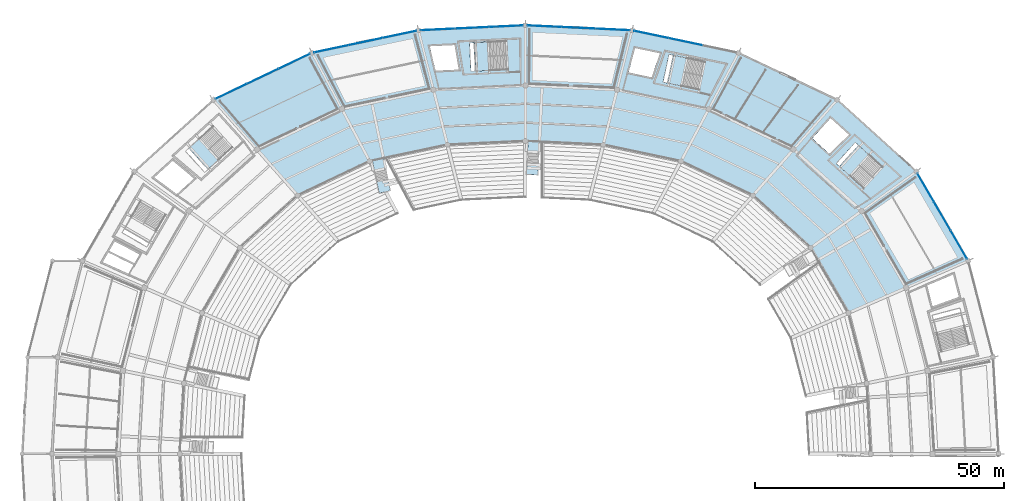
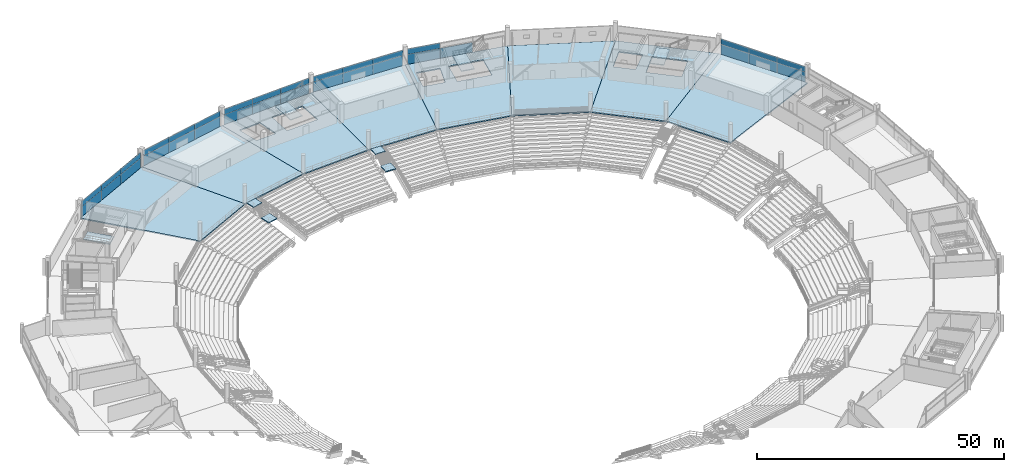
# One storey, part 99 of 156: 33 plates, 16 slabs, 12 elements without a shape of their own.
"""IFC4 building model written with IfcOpenShell, lengths in metres."""

from ifc_helpers import new_model, si_unit, direction, frame, origin, origin_2d, place, context, subcontext, project, spatial, polyline, rectangle, outline, extrude, material, layer, layer_set, type_object, element, aggregate, save


model = new_model("IFC4")

# Units and contexts
model_context = context("Model", 3, precision=1e-05, world=origin(), true_north=direction((0.0, 1.0)))
body_context = subcontext(model_context, "Body", "Model", "MODEL_VIEW")
ifc_project = project(units=[si_unit("LENGTHUNIT", "METRE"), si_unit("AREAUNIT", "SQUARE_METRE"), si_unit("VOLUMEUNIT", "CUBIC_METRE"), si_unit("PLANEANGLEUNIT", "RADIAN"), si_unit("MASSUNIT", "GRAM", prefix="KILO")], contexts=[model_context])

# Site, building, storey
site_placement = place(None, origin())
site = spatial("IfcSite", under=ifc_project, at=site_placement, CompositionType="ELEMENT")
building_placement = place(site_placement, origin())
building = spatial("IfcBuilding", under=site, at=building_placement, Name="Kazemori Nagisa Stadium", CompositionType="ELEMENT")
storey_placement = place(building_placement, frame((0.0, 0.0, 5.780029296875)))
storey = spatial("IfcBuildingStorey", under=building, at=storey_placement, Name="L01", CompositionType="ELEMENT", Elevation=5.780029296875)

# Curtain wall, plates
ifc_material_1 = material(Name="Anodised aluminium 6063-T5", Category="aluminium")
ifc_layer_1 = layer(ifc_material_1, 0.179931640625, Name="Anodised aluminium 6063-T5", Category="aluminium")
ifc_layer_set_1 = layer_set([ifc_layer_1], Name="Anodised aluminium 6063-T5")
curtain_wall_type_1 = type_object("IfcCurtainWallType", Name="CW_L01R3_103", PredefinedType="USERDEFINED", material=ifc_layer_set_1)
curtain_wall_1_placement = place(storey_placement, origin())
curtain_wall_1 = element("IfcCurtainWall", 1, at=curtain_wall_1_placement, inside=storey, type_object=curtain_wall_type_1, Name="Unitised curtain wall CW-L01R3-103 L01", ObjectType="UNITISED CURTAIN WALL", PredefinedType="USERDEFINED")
ifc_material_2 = material(Name="Anodised aluminium spandrel sheet", Category="aluminium")
ifc_layer_2 = layer(ifc_material_2, 0.0458984375, Name="Anodised aluminium spandrel sheet", Category="aluminium")
ifc_layer_set_2 = layer_set([ifc_layer_2], Name="Anodised aluminium spandrel sheet")
plate_type_1 = type_object("IfcPlateType", Name="CWPanel_SPN_L01R3_103", PredefinedType="CURTAIN_PANEL", material=ifc_layer_set_2)
plate_1_placement = place(storey_placement, frame((140.5400390625, 187.170654296875, 2.4638671875), z_axis=(0.0, 0.0, 1.0), x_axis=(-0.998884022476, 0.047230388971, 0.0)))
plate_1 = element("IfcPlate", 2, at=plate_1_placement, type_object=plate_type_1, Name="Curtain wall spandrel panel CW-L01R3-103-S1", PredefinedType="CURTAIN_PANEL", context=body_context, shape_type="SweptSolid", body=[
    extrude(rectangle(XDim=6.81005859375, YDim=0.0458984375, at=origin_2d()), origin(), (0.0, 0.0, 1.0), 1.385986328125),
])
plate_2_placement = place(storey_placement, frame((133.7138671875, 187.493408203125, 2.4638671875), z_axis=(0.0, 0.0, 1.0), x_axis=(-0.998884022476, 0.047230388971, 0.0)))
plate_2 = element("IfcPlate", 3, at=plate_2_placement, type_object=plate_type_1, Name="Curtain wall spandrel panel CW-L01R3-103-S2", PredefinedType="CURTAIN_PANEL", context=body_context, shape_type="SweptSolid", body=[
    extrude(rectangle(XDim=6.81005859375, YDim=0.0458984375, at=origin_2d()), origin(), (0.0, 0.0, 1.0), 1.385986328125),
])
plate_3_placement = place(storey_placement, frame((126.8876953125, 187.816162109375, 2.4638671875), z_axis=(0.0, 0.0, 1.0), x_axis=(-0.998884022476, 0.047230388971, 0.0)))
plate_3 = element("IfcPlate", 4, at=plate_3_placement, type_object=plate_type_1, Name="Curtain wall spandrel panel CW-L01R3-103-S3", PredefinedType="CURTAIN_PANEL", context=body_context, shape_type="SweptSolid", body=[
    extrude(rectangle(XDim=6.81005859375, YDim=0.0458984375, at=origin_2d()), origin(), (0.0, 0.0, 1.0), 1.385986328125),
])

curtain_wall_2_placement = place(storey_placement, origin())
curtain_wall_2 = element("IfcCurtainWall", 5, at=curtain_wall_2_placement, inside=storey, type_object=curtain_wall_type_1, Name="Unitised curtain wall CW-L01R3-103 L01", ObjectType="UNITISED CURTAIN WALL", PredefinedType="USERDEFINED")
plate_4_placement = place(storey_placement, frame((119.1123046875, 187.816162109375, 2.4638671875), z_axis=(0.0, 0.0, 1.0), x_axis=(-0.998884022476, -0.047230388971, 0.0)))
plate_4 = element("IfcPlate", 6, at=plate_4_placement, type_object=plate_type_1, Name="Curtain wall spandrel panel CW-L01R3-103-S1", PredefinedType="CURTAIN_PANEL", context=body_context, shape_type="SweptSolid", body=[
    extrude(rectangle(XDim=6.81005859375, YDim=0.0458984375, at=origin_2d()), origin(), (0.0, 0.0, 1.0), 1.385986328125),
])
plate_5_placement = place(storey_placement, frame((112.2861328125, 187.493408203125, 2.4638671875), z_axis=(0.0, 0.0, 1.0), x_axis=(-0.998884022476, -0.047230388971, 0.0)))
plate_5 = element("IfcPlate", 7, at=plate_5_placement, type_object=plate_type_1, Name="Curtain wall spandrel panel CW-L01R3-103-S2", PredefinedType="CURTAIN_PANEL", context=body_context, shape_type="SweptSolid", body=[
    extrude(rectangle(XDim=6.81005859375, YDim=0.0458984375, at=origin_2d()), origin(), (0.0, 0.0, 1.0), 1.385986328125),
])
plate_6_placement = place(storey_placement, frame((105.4599609375, 187.170654296875, 2.4638671875), z_axis=(0.0, 0.0, 1.0), x_axis=(-0.998884022476, -0.047230388971, 0.0)))
plate_6 = element("IfcPlate", 8, at=plate_6_placement, type_object=plate_type_1, Name="Curtain wall spandrel panel CW-L01R3-103-S3", PredefinedType="CURTAIN_PANEL", context=body_context, shape_type="SweptSolid", body=[
    extrude(rectangle(XDim=6.81005859375, YDim=0.0458984375, at=origin_2d()), origin(), (0.0, 0.0, 1.0), 1.385986328125),
])

# Curtain wall, plate
ifc_layer_3 = layer(ifc_material_1, 0.179931640625, Name="Anodised aluminium 6063-T5", Category="aluminium")
ifc_layer_set_3 = layer_set([ifc_layer_3], Name="Anodised aluminium 6063-T5")
curtain_wall_type_2 = type_object("IfcCurtainWallType", Name="CW_L01R3_105", PredefinedType="USERDEFINED", material=ifc_layer_set_3)
curtain_wall_3_placement = place(storey_placement, origin())
curtain_wall_3 = element("IfcCurtainWall", 9, at=curtain_wall_3_placement, inside=storey, type_object=curtain_wall_type_2, Name="Unitised curtain wall CW-L01R3-105 L01", ObjectType="UNITISED CURTAIN WALL", PredefinedType="USERDEFINED")
ifc_layer_4 = layer(ifc_material_2, 0.0458984375, Name="Anodised aluminium spandrel sheet", Category="aluminium")
ifc_layer_set_4 = layer_set([ifc_layer_4], Name="Anodised aluminium spandrel sheet")
plate_type_2 = type_object("IfcPlateType", Name="CWPanel_SPN_L01R3_105", PredefinedType="CURTAIN_PANEL", material=ifc_layer_set_4)
plate_7_placement = place(storey_placement, frame((148.30029296875, 186.16748046875, 2.4638671875), z_axis=(0.0, 0.0, 1.0), x_axis=(-0.978344955407, 0.206981033502, 0.0)))
plate_7 = element("IfcPlate", 10, at=plate_7_placement, type_object=plate_type_2, Name="Curtain wall spandrel panel CW-L01R3-105-S3", PredefinedType="CURTAIN_PANEL", context=body_context, shape_type="SweptSolid", body=[
    extrude(rectangle(XDim=6.942626953125, YDim=0.0458984375, at=origin_2d()), origin(), (0.0, 0.0, 1.0), 1.385986328125),
])

# Curtain wall, plates
curtain_wall_4_placement = place(storey_placement, origin())
curtain_wall_4 = element("IfcCurtainWall", 11, at=curtain_wall_4_placement, inside=storey, type_object=curtain_wall_type_2, Name="Unitised curtain wall CW-L01R3-105 L01", ObjectType="UNITISED CURTAIN WALL", PredefinedType="USERDEFINED")
plate_8_placement = place(storey_placement, frame((97.69970703125, 186.16748046875, 2.4638671875), z_axis=(0.0, 0.0, 1.0), x_axis=(-0.978344955407, -0.206981033502, 0.0)))
plate_8 = element("IfcPlate", 12, at=plate_8_placement, type_object=plate_type_2, Name="Curtain wall spandrel panel CW-L01R3-105-S1", PredefinedType="CURTAIN_PANEL", context=body_context, shape_type="SweptSolid", body=[
    extrude(rectangle(XDim=6.942626953125, YDim=0.0458984375, at=origin_2d()), origin(), (0.0, 0.0, 1.0), 1.385986328125),
])
plate_9_placement = place(storey_placement, frame((90.8837890625, 184.7255859375, 2.4638671875), z_axis=(0.0, 0.0, 1.0), x_axis=(-0.978344955407, -0.206981033502, 0.0)))
plate_9 = element("IfcPlate", 13, at=plate_9_placement, type_object=plate_type_2, Name="Curtain wall spandrel panel CW-L01R3-105-S2", PredefinedType="CURTAIN_PANEL", context=body_context, shape_type="SweptSolid", body=[
    extrude(rectangle(XDim=6.942626953125, YDim=0.0458984375, at=origin_2d()), origin(), (0.0, 0.0, 1.0), 1.385986328125),
])
plate_10_placement = place(storey_placement, frame((84.06787109375, 183.283447265625, 2.4638671875), z_axis=(0.0, 0.0, 1.0), x_axis=(-0.978344955407, -0.206981033502, 0.0)))
plate_10 = element("IfcPlate", 14, at=plate_10_placement, type_object=plate_type_2, Name="Curtain wall spandrel panel CW-L01R3-105-S3", PredefinedType="CURTAIN_PANEL", context=body_context, shape_type="SweptSolid", body=[
    extrude(rectangle(XDim=6.942626953125, YDim=0.0458984375, at=origin_2d()), origin(), (0.0, 0.0, 1.0), 1.385986328125),
])

curtain_wall_5_placement = place(storey_placement, origin())
curtain_wall_5 = element("IfcCurtainWall", 15, at=curtain_wall_5_placement, inside=storey, type_object=curtain_wall_type_2, Name="Unitised curtain wall CW-L01R3-105 L01", ObjectType="UNITISED CURTAIN WALL", PredefinedType="USERDEFINED")
plate_11_placement = place(storey_placement, frame((76.6103515625, 180.7607421875, 2.4638671875), z_axis=(0.0, 0.0, 1.0), x_axis=(-0.903215892654, -0.429186499388, 0.0)))
plate_11 = element("IfcPlate", 16, at=plate_11_placement, type_object=plate_type_2, Name="Curtain wall spandrel panel CW-L01R3-105-S1", PredefinedType="CURTAIN_PANEL", context=body_context, shape_type="SweptSolid", body=[
    extrude(rectangle(XDim=6.964111328125, YDim=0.0458984375, at=origin_2d()), origin(), (0.0, 0.0, 1.0), 1.385986328125),
])
plate_12_placement = place(storey_placement, frame((70.298583984375, 177.76171875, 2.4638671875), z_axis=(0.0, 0.0, 1.0), x_axis=(-0.903215892654, -0.429186499388, 0.0)))
plate_12 = element("IfcPlate", 17, at=plate_12_placement, type_object=plate_type_2, Name="Curtain wall spandrel panel CW-L01R3-105-S2", PredefinedType="CURTAIN_PANEL", context=body_context, shape_type="SweptSolid", body=[
    extrude(rectangle(XDim=6.964111328125, YDim=0.0458984375, at=origin_2d()), origin(), (0.0, 0.0, 1.0), 1.385986328125),
])
plate_13_placement = place(storey_placement, frame((63.98681640625, 174.762451171875, 2.4638671875), z_axis=(0.0, 0.0, 1.0), x_axis=(-0.903215892654, -0.429186499388, 0.0)))
plate_13 = element("IfcPlate", 18, at=plate_13_placement, type_object=plate_type_2, Name="Curtain wall spandrel panel CW-L01R3-105-S3", PredefinedType="CURTAIN_PANEL", context=body_context, shape_type="SweptSolid", body=[
    extrude(rectangle(XDim=6.964111328125, YDim=0.0458984375, at=origin_2d()), origin(), (0.0, 0.0, 1.0), 1.385986328125),
])

ifc_layer_5 = layer(ifc_material_1, 0.179931640625, Name="Anodised aluminium 6063-T5", Category="aluminium")
ifc_layer_set_5 = layer_set([ifc_layer_5], Name="Anodised aluminium 6063-T5")
curtain_wall_type_3 = type_object("IfcCurtainWallType", Name="CW_L01R3_99", PredefinedType="USERDEFINED", material=ifc_layer_set_5)
curtain_wall_6_placement = place(storey_placement, origin())
curtain_wall_6 = element("IfcCurtainWall", 19, at=curtain_wall_6_placement, inside=storey, type_object=curtain_wall_type_3, Name="Unitised curtain wall CW-L01R3-99 L01", ObjectType="UNITISED CURTAIN WALL", PredefinedType="USERDEFINED")
ifc_layer_6 = layer(ifc_material_2, 0.0458984375, Name="Anodised aluminium spandrel sheet", Category="aluminium")
ifc_layer_set_6 = layer_set([ifc_layer_6], Name="Anodised aluminium spandrel sheet")
plate_type_3 = type_object("IfcPlateType", Name="CWPanel_SPN_L01R3_99", PredefinedType="CURTAIN_PANEL", material=ifc_layer_set_6)
plate_14_placement = place(storey_placement, frame((209.994384765625, 144.009765625, 2.4638671875), z_axis=(0.0, 0.0, 1.0), x_axis=(-0.501611590054, 0.865092950337, 0.0)))
plate_14 = element("IfcPlate", 20, at=plate_14_placement, type_object=plate_type_3, Name="Curtain wall spandrel panel CW-L01R3-99-S1", PredefinedType="CURTAIN_PANEL", context=body_context, shape_type="SweptSolid", body=[
    extrude(rectangle(XDim=6.563232421875, YDim=0.0458984375, at=origin_2d()), origin(), (0.0, 0.0, 1.0), 1.385986328125),
])
plate_15_placement = place(storey_placement, frame((206.690185546875, 149.70849609375, 2.4638671875), z_axis=(0.0, 0.0, 1.0), x_axis=(-0.501611590054, 0.865092950337, 0.0)))
plate_15 = element("IfcPlate", 21, at=plate_15_placement, type_object=plate_type_3, Name="Curtain wall spandrel panel CW-L01R3-99-S2", PredefinedType="CURTAIN_PANEL", context=body_context, shape_type="SweptSolid", body=[
    extrude(rectangle(XDim=6.563232421875, YDim=0.0458984375, at=origin_2d()), origin(), (0.0, 0.0, 1.0), 1.385986328125),
])
plate_16_placement = place(storey_placement, frame((203.3857421875, 155.4072265625, 2.4638671875), z_axis=(0.0, 0.0, 1.0), x_axis=(-0.501611590054, 0.865092950337, 0.0)))
plate_16 = element("IfcPlate", 22, at=plate_16_placement, type_object=plate_type_3, Name="Curtain wall spandrel panel CW-L01R3-99-S3", PredefinedType="CURTAIN_PANEL", context=body_context, shape_type="SweptSolid", body=[
    extrude(rectangle(XDim=6.563232421875, YDim=0.0458984375, at=origin_2d()), origin(), (0.0, 0.0, 1.0), 1.385986328125),
])

# Plate
ifc_material_3 = material(Name="Low-e laminated double glazing", Category="glass")
ifc_layer_7 = layer(ifc_material_3, 0.028076171875, Name="Low-e laminated double glazing", Category="glass")
ifc_layer_set_7 = layer_set([ifc_layer_7], Name="Low-e laminated double glazing")
plate_type_4 = type_object("IfcPlateType", Name="CWPanel_VIS_L01R3_103", PredefinedType="CURTAIN_PANEL", material=ifc_layer_set_7)
plate_17_placement = place(storey_placement, frame((140.5400390625, 187.170654296875, 0.0), z_axis=(0.0, 0.0, 1.0), x_axis=(-0.998884022476, 0.047230388971, 0.0)))
plate_17 = element("IfcPlate", 23, at=plate_17_placement, type_object=plate_type_4, Name="Curtain wall vision panel CW-L01R3-103-V1", PredefinedType="CURTAIN_PANEL", context=body_context, shape_type="SweptSolid", body=[
    extrude(rectangle(XDim=6.81005859375, YDim=0.028076171875, at=origin_2d()), origin(), (0.0, 0.0, 1.0), 2.464111328125),
])

plate_18_placement = place(storey_placement, frame((133.7138671875, 187.493408203125, 0.0), z_axis=(0.0, 0.0, 1.0), x_axis=(-0.998884022476, 0.047230388971, 0.0)))
plate_18 = element("IfcPlate", 24, at=plate_18_placement, type_object=plate_type_4, Name="Curtain wall vision panel CW-L01R3-103-V2", PredefinedType="CURTAIN_PANEL", context=body_context, shape_type="SweptSolid", body=[
    extrude(rectangle(XDim=6.81005859375, YDim=0.028076171875, at=origin_2d()), origin(), (0.0, 0.0, 1.0), 2.464111328125),
])

plate_19_placement = place(storey_placement, frame((126.8876953125, 187.816162109375, 0.0), z_axis=(0.0, 0.0, 1.0), x_axis=(-0.998884022476, 0.047230388971, 0.0)))
plate_19 = element("IfcPlate", 25, at=plate_19_placement, type_object=plate_type_4, Name="Curtain wall vision panel CW-L01R3-103-V3", PredefinedType="CURTAIN_PANEL", context=body_context, shape_type="SweptSolid", body=[
    extrude(rectangle(XDim=6.81005859375, YDim=0.028076171875, at=origin_2d()), origin(), (0.0, 0.0, 1.0), 2.464111328125),
])

aggregate(curtain_wall_1, [plate_17, plate_1, plate_18, plate_2, plate_19, plate_3])

plate_20_placement = place(storey_placement, frame((119.1123046875, 187.816162109375, 0.0), z_axis=(0.0, 0.0, 1.0), x_axis=(-0.998884022476, -0.047230388971, 0.0)))
plate_20 = element("IfcPlate", 26, at=plate_20_placement, type_object=plate_type_4, Name="Curtain wall vision panel CW-L01R3-103-V1", PredefinedType="CURTAIN_PANEL", context=body_context, shape_type="SweptSolid", body=[
    extrude(rectangle(XDim=6.81005859375, YDim=0.028076171875, at=origin_2d()), origin(), (0.0, 0.0, 1.0), 2.464111328125),
])

plate_21_placement = place(storey_placement, frame((112.2861328125, 187.493408203125, 0.0), z_axis=(0.0, 0.0, 1.0), x_axis=(-0.998884022476, -0.047230388971, 0.0)))
plate_21 = element("IfcPlate", 27, at=plate_21_placement, type_object=plate_type_4, Name="Curtain wall vision panel CW-L01R3-103-V2", PredefinedType="CURTAIN_PANEL", context=body_context, shape_type="SweptSolid", body=[
    extrude(rectangle(XDim=6.81005859375, YDim=0.028076171875, at=origin_2d()), origin(), (0.0, 0.0, 1.0), 2.464111328125),
])

plate_22_placement = place(storey_placement, frame((105.4599609375, 187.170654296875, 0.0), z_axis=(0.0, 0.0, 1.0), x_axis=(-0.998884022476, -0.047230388971, 0.0)))
plate_22 = element("IfcPlate", 28, at=plate_22_placement, type_object=plate_type_4, Name="Curtain wall vision panel CW-L01R3-103-V3", PredefinedType="CURTAIN_PANEL", context=body_context, shape_type="SweptSolid", body=[
    extrude(rectangle(XDim=6.81005859375, YDim=0.028076171875, at=origin_2d()), origin(), (0.0, 0.0, 1.0), 2.464111328125),
])

aggregate(curtain_wall_2, [plate_20, plate_4, plate_21, plate_5, plate_22, plate_6])

ifc_layer_8 = layer(ifc_material_3, 0.028076171875, Name="Low-e laminated double glazing", Category="glass")
ifc_layer_set_8 = layer_set([ifc_layer_8], Name="Low-e laminated double glazing")
plate_type_5 = type_object("IfcPlateType", Name="CWPanel_VIS_L01R3_105", PredefinedType="CURTAIN_PANEL", material=ifc_layer_set_8)
plate_23_placement = place(storey_placement, frame((155.1162109375, 184.7255859375, 0.0), z_axis=(0.0, 0.0, 1.0), x_axis=(-0.978344955407, 0.206981033502, 0.0)))
plate_23 = element("IfcPlate", 29, at=plate_23_placement, type_object=plate_type_5, Name="Curtain wall vision panel CW-L01R3-105-V2", PredefinedType="CURTAIN_PANEL", context=body_context, shape_type="SweptSolid", body=[
    extrude(rectangle(XDim=6.942626953125, YDim=0.028076171875, at=origin_2d()), origin(), (0.0, 0.0, 1.0), 2.464111328125),
])

plate_24_placement = place(storey_placement, frame((148.30029296875, 186.16748046875, 0.0), z_axis=(0.0, 0.0, 1.0), x_axis=(-0.978344955407, 0.206981033502, 0.0)))
plate_24 = element("IfcPlate", 30, at=plate_24_placement, type_object=plate_type_5, Name="Curtain wall vision panel CW-L01R3-105-V3", PredefinedType="CURTAIN_PANEL", context=body_context, shape_type="SweptSolid", body=[
    extrude(rectangle(XDim=6.942626953125, YDim=0.028076171875, at=origin_2d()), origin(), (0.0, 0.0, 1.0), 2.464111328125),
])

aggregate(curtain_wall_3, [plate_23, plate_24, plate_7])

plate_25_placement = place(storey_placement, frame((97.69970703125, 186.16748046875, 0.0), z_axis=(0.0, 0.0, 1.0), x_axis=(-0.978344955407, -0.206981033502, 0.0)))
plate_25 = element("IfcPlate", 31, at=plate_25_placement, type_object=plate_type_5, Name="Curtain wall vision panel CW-L01R3-105-V1", PredefinedType="CURTAIN_PANEL", context=body_context, shape_type="SweptSolid", body=[
    extrude(rectangle(XDim=6.942626953125, YDim=0.028076171875, at=origin_2d()), origin(), (0.0, 0.0, 1.0), 2.464111328125),
])

plate_26_placement = place(storey_placement, frame((90.8837890625, 184.7255859375, 0.0), z_axis=(0.0, 0.0, 1.0), x_axis=(-0.978344955407, -0.206981033502, 0.0)))
plate_26 = element("IfcPlate", 32, at=plate_26_placement, type_object=plate_type_5, Name="Curtain wall vision panel CW-L01R3-105-V2", PredefinedType="CURTAIN_PANEL", context=body_context, shape_type="SweptSolid", body=[
    extrude(rectangle(XDim=6.942626953125, YDim=0.028076171875, at=origin_2d()), origin(), (0.0, 0.0, 1.0), 2.464111328125),
])

plate_27_placement = place(storey_placement, frame((84.06787109375, 183.283447265625, 0.0), z_axis=(0.0, 0.0, 1.0), x_axis=(-0.978344955407, -0.206981033502, 0.0)))
plate_27 = element("IfcPlate", 33, at=plate_27_placement, type_object=plate_type_5, Name="Curtain wall vision panel CW-L01R3-105-V3", PredefinedType="CURTAIN_PANEL", context=body_context, shape_type="SweptSolid", body=[
    extrude(rectangle(XDim=6.942626953125, YDim=0.028076171875, at=origin_2d()), origin(), (0.0, 0.0, 1.0), 2.464111328125),
])

aggregate(curtain_wall_4, [plate_25, plate_8, plate_26, plate_9, plate_27, plate_10])

plate_28_placement = place(storey_placement, frame((76.6103515625, 180.7607421875, 0.0), z_axis=(0.0, 0.0, 1.0), x_axis=(-0.903215892654, -0.429186499388, 0.0)))
plate_28 = element("IfcPlate", 34, at=plate_28_placement, type_object=plate_type_5, Name="Curtain wall vision panel CW-L01R3-105-V1", PredefinedType="CURTAIN_PANEL", context=body_context, shape_type="SweptSolid", body=[
    extrude(rectangle(XDim=6.964111328125, YDim=0.028076171875, at=origin_2d()), origin(), (0.0, 0.0, 1.0), 2.464111328125),
])

plate_29_placement = place(storey_placement, frame((70.298583984375, 177.76171875, 0.0), z_axis=(0.0, 0.0, 1.0), x_axis=(-0.903215892654, -0.429186499388, 0.0)))
plate_29 = element("IfcPlate", 35, at=plate_29_placement, type_object=plate_type_5, Name="Curtain wall vision panel CW-L01R3-105-V2", PredefinedType="CURTAIN_PANEL", context=body_context, shape_type="SweptSolid", body=[
    extrude(rectangle(XDim=6.964111328125, YDim=0.028076171875, at=origin_2d()), origin(), (0.0, 0.0, 1.0), 2.464111328125),
])

plate_30_placement = place(storey_placement, frame((63.98681640625, 174.762451171875, 0.0), z_axis=(0.0, 0.0, 1.0), x_axis=(-0.903215892654, -0.429186499388, 0.0)))
plate_30 = element("IfcPlate", 36, at=plate_30_placement, type_object=plate_type_5, Name="Curtain wall vision panel CW-L01R3-105-V3", PredefinedType="CURTAIN_PANEL", context=body_context, shape_type="SweptSolid", body=[
    extrude(rectangle(XDim=6.964111328125, YDim=0.028076171875, at=origin_2d()), origin(), (0.0, 0.0, 1.0), 2.464111328125),
])

aggregate(curtain_wall_5, [plate_28, plate_11, plate_29, plate_12, plate_30, plate_13])

ifc_layer_9 = layer(ifc_material_3, 0.028076171875, Name="Low-e laminated double glazing", Category="glass")
ifc_layer_set_9 = layer_set([ifc_layer_9], Name="Low-e laminated double glazing")
plate_type_6 = type_object("IfcPlateType", Name="CWPanel_VIS_L01R3_99", PredefinedType="CURTAIN_PANEL", material=ifc_layer_set_9)
plate_31_placement = place(storey_placement, frame((209.994384765625, 144.009765625, 0.0), z_axis=(0.0, 0.0, 1.0), x_axis=(-0.501611590054, 0.865092950337, 0.0)))
plate_31 = element("IfcPlate", 37, at=plate_31_placement, type_object=plate_type_6, Name="Curtain wall vision panel CW-L01R3-99-V1", PredefinedType="CURTAIN_PANEL", context=body_context, shape_type="SweptSolid", body=[
    extrude(rectangle(XDim=6.563232421875, YDim=0.028076171875, at=origin_2d()), origin(), (0.0, 0.0, 1.0), 2.464111328125),
])

plate_32_placement = place(storey_placement, frame((206.690185546875, 149.70849609375, 0.0), z_axis=(0.0, 0.0, 1.0), x_axis=(-0.501611590054, 0.865092950337, 0.0)))
plate_32 = element("IfcPlate", 38, at=plate_32_placement, type_object=plate_type_6, Name="Curtain wall vision panel CW-L01R3-99-V2", PredefinedType="CURTAIN_PANEL", context=body_context, shape_type="SweptSolid", body=[
    extrude(rectangle(XDim=6.563232421875, YDim=0.028076171875, at=origin_2d()), origin(), (0.0, 0.0, 1.0), 2.464111328125),
])

plate_33_placement = place(storey_placement, frame((203.3857421875, 155.4072265625, 0.0), z_axis=(0.0, 0.0, 1.0), x_axis=(-0.501611590054, 0.865092950337, 0.0)))
plate_33 = element("IfcPlate", 39, at=plate_33_placement, type_object=plate_type_6, Name="Curtain wall vision panel CW-L01R3-99-V3", PredefinedType="CURTAIN_PANEL", context=body_context, shape_type="SweptSolid", body=[
    extrude(rectangle(XDim=6.563232421875, YDim=0.028076171875, at=origin_2d()), origin(), (0.0, 0.0, 1.0), 2.464111328125),
])

aggregate(curtain_wall_6, [plate_31, plate_14, plate_32, plate_15, plate_33, plate_16])

# Slabs
ifc_material_4 = material(Name="Concrete C36/45 (Fc36)", Category="concrete")
ifc_layer_10 = layer(ifc_material_4, 0.280029296875, Name="Concrete C36/45 (Fc36)", Category="concrete")
ifc_layer_set_10 = layer_set([ifc_layer_10], Name="Concrete C36/45 (Fc36)")
slab_type_1 = type_object("IfcSlabType", Name="Slab_SL-CONC-280", PredefinedType="FLOOR", material=ifc_layer_set_10)
slab_1_placement = place(storey_placement, frame((0.0, 0.0, -0.280029296875)))
element("IfcSlab", 40, at=slab_1_placement, inside=storey, type_object=slab_type_1, Name="Concourse floor slab L01 bay 03", PredefinedType="FLOOR", context=body_context, shape_type="SweptSolid", body=[
    extrude(outline(polyline([(187.885986328125, 130.287109375), (180.301513671875, 143.367431640625), (201.495361328125, 158.667724609375), (211.885009765625, 140.74951171875), (187.885986328125, 130.287109375)])), origin(), (0.0, 0.0, 1.0), 0.280029296875),
])
slab_2_placement = place(storey_placement, frame((0.0, 0.0, -0.280029296875)))
element("IfcSlab", 41, at=slab_2_placement, inside=storey, type_object=slab_type_1, Name="Concourse floor slab L01 bay 04", PredefinedType="FLOOR", context=body_context, shape_type="SweptSolid", body=[
    extrude(outline(polyline([(180.301513671875, 143.367431640625), (168.696533203125, 153.873046875), (185.597900390625, 173.05908203125), (201.495361328125, 158.667724609375), (180.301513671875, 143.367431640625)]), holes=[polyline([(190.87646484375, 155.334228515625), (185.4052734375, 160.287109375), (189.230712890625, 164.5126953125), (194.70166015625, 159.56005859375), (190.87646484375, 155.334228515625)]), polyline([(184.043701171875, 162.204345703125), (180.594482421875, 165.32666015625), (184.289794921875, 169.3896484375), (187.960205078125, 166.06689453125), (184.043701171875, 162.204345703125)])]), origin(), (0.0, 0.0, 1.0), 0.280029296875),
])
slab_3_placement = place(storey_placement, frame((0.0, 0.0, -0.280029296875)))
element("IfcSlab", 42, at=slab_3_placement, inside=storey, type_object=slab_type_1, Name="Concourse floor slab L01 bay 05", PredefinedType="FLOOR", context=body_context, shape_type="SweptSolid", body=[
    extrude(outline(polyline([(168.696533203125, 153.873046875), (154.24755859375, 160.739013671875), (165.8046875, 182.46435546875), (185.597900390625, 173.05908203125), (168.696533203125, 153.873046875)])), origin(), (0.0, 0.0, 1.0), 0.280029296875),
])
slab_4_placement = place(storey_placement, frame((0.0, 0.0, -0.280029296875)))
element("IfcSlab", 43, at=slab_4_placement, inside=storey, type_object=slab_type_1, Name="Concourse floor slab L01 bay 06", PredefinedType="FLOOR", context=body_context, shape_type="SweptSolid", body=[
    extrude(outline(polyline([(154.24755859375, 160.739013671875), (138.64208984375, 164.040283203125), (144.427734375, 186.98681640625), (165.8046875, 182.46435546875), (154.24755859375, 160.739013671875)]), holes=[polyline([(157.87890625, 175.08642578125), (150.65869140625, 176.614013671875), (151.83837890625, 182.190673828125), (159.05859375, 180.6630859375), (157.87890625, 175.08642578125)]), polyline([(148.361328125, 177.560791015625), (143.723388671875, 178.5419921875), (145.052978515625, 183.452880859375), (149.988525390625, 182.40869140625), (148.361328125, 177.560791015625)])]), origin(), (0.0, 0.0, 1.0), 0.280029296875),
])
slab_5_placement = place(storey_placement, frame((0.0, 0.0, -0.280029296875)))
element("IfcSlab", 44, at=slab_5_placement, inside=storey, type_object=slab_type_1, Name="Concourse floor slab L01 bay 07", PredefinedType="FLOOR", context=body_context, shape_type="SweptSolid", body=[
    extrude(outline(polyline([(138.64208984375, 164.040283203125), (123.0, 164.780029296875), (123.0, 188.0), (144.427734375, 186.98681640625), (138.64208984375, 164.040283203125)])), origin(), (0.0, 0.0, 1.0), 0.280029296875),
])
slab_6_placement = place(storey_placement, frame((0.0, 0.0, -0.280029296875)))
element("IfcSlab", 45, at=slab_6_placement, inside=storey, type_object=slab_type_1, Name="Concourse floor slab L01 bay 08", PredefinedType="FLOOR", context=body_context, shape_type="SweptSolid", body=[
    extrude(outline(polyline([(123.0, 164.780029296875), (107.35791015625, 164.040283203125), (101.572265625, 186.98681640625), (123.0, 188.0), (123.0, 164.780029296875)]), holes=[polyline([(119.452392578125, 179.138427734375), (112.08056640625, 178.7900390625), (111.8115234375, 184.483642578125), (119.18310546875, 184.832275390625), (119.452392578125, 179.138427734375)]), polyline([(109.63427734375, 179.112060546875), (104.9853515625, 178.89208984375), (103.82958984375, 183.825439453125), (108.77685546875, 184.0595703125), (109.63427734375, 179.112060546875)])]), origin(), (0.0, 0.0, 1.0), 0.280029296875),
])
slab_7_placement = place(storey_placement, frame((0.0, 0.0, -0.280029296875)))
element("IfcSlab", 46, at=slab_7_placement, inside=storey, type_object=slab_type_1, Name="Concourse floor slab L01 bay 09", PredefinedType="FLOOR", context=body_context, shape_type="SweptSolid", body=[
    extrude(outline(polyline([(107.35791015625, 164.040283203125), (91.75244140625, 160.739013671875), (80.1953125, 182.46435546875), (101.572265625, 186.98681640625), (107.35791015625, 164.040283203125)])), origin(), (0.0, 0.0, 1.0), 0.280029296875),
])
slab_8_placement = place(storey_placement, frame((0.0, 0.0, -0.280029296875)))
element("IfcSlab", 47, at=slab_8_placement, inside=storey, type_object=slab_type_1, Name="Concourse floor slab L01 bay 10", PredefinedType="FLOOR", context=body_context, shape_type="SweptSolid", body=[
    extrude(outline(polyline([(91.75244140625, 160.739013671875), (77.303466796875, 153.873046875), (60.402099609375, 173.05908203125), (80.1953125, 182.46435546875), (91.75244140625, 160.739013671875)])), origin(), (0.0, 0.0, 1.0), 0.280029296875),
])

# Stair, slab
stair_type_1 = type_object("IfcStairType", Name="Stair_CORE_28", PredefinedType="TWO_STRAIGHT_RUN_STAIR", material=ifc_material_4)
stair_1_placement = place(storey_placement, origin())
stair_1 = element("IfcStair", 48, at=stair_1_placement, inside=storey, type_object=stair_type_1, Name="Exit stair ST01 L01", PredefinedType="TWO_STRAIGHT_RUN_STAIR")
ifc_layer_11 = layer(ifc_material_4, 0.199951171875, Name="Concrete C36/45 (Fc36)", Category="concrete")
ifc_layer_set_11 = layer_set([ifc_layer_11], Name="Concrete C36/45 (Fc36)")
slab_type_2 = type_object("IfcSlabType", Name="Slab_SL-LND-200", PredefinedType="LANDING", material=ifc_layer_set_11)
slab_9_placement = place(storey_placement, frame((0.0, 0.0, 2.179931640625)))
slab_9 = element("IfcSlab", 49, at=slab_9_placement, type_object=slab_type_2, Name="Exit stair ST01 L01 mid-landing", PredefinedType="LANDING", context=body_context, shape_type="SweptSolid", body=[
    extrude(outline(polyline([(188.15185546875, 157.800537109375), (186.0390625, 159.71337890625), (189.864501953125, 163.93896484375), (191.977294921875, 162.0263671875), (188.15185546875, 157.800537109375)])), origin(), (0.0, 0.0, 1.0), 0.199951171875),
])
aggregate(stair_1, [slab_9])

stair_2_placement = place(storey_placement, origin())
stair_2 = element("IfcStair", 50, at=stair_2_placement, inside=storey, type_object=stair_type_1, Name="Exit stair ST11 L01", PredefinedType="TWO_STRAIGHT_RUN_STAIR")
slab_10_placement = place(storey_placement, frame((0.0, 0.0, 2.179931640625)))
slab_10 = element("IfcSlab", 51, at=slab_10_placement, type_object=slab_type_2, Name="Exit stair ST11 L01 mid-landing", PredefinedType="LANDING", context=body_context, shape_type="SweptSolid", body=[
    extrude(outline(polyline([(154.283447265625, 175.84716796875), (151.4951171875, 176.43701171875), (152.6748046875, 182.013671875), (155.463134765625, 181.423828125), (154.283447265625, 175.84716796875)])), origin(), (0.0, 0.0, 1.0), 0.199951171875),
])
aggregate(stair_2, [slab_10])

stair_3_placement = place(storey_placement, origin())
stair_3 = element("IfcStair", 52, at=stair_3_placement, inside=storey, type_object=stair_type_1, Name="Exit stair ST05 L01", PredefinedType="TWO_STRAIGHT_RUN_STAIR")
slab_11_placement = place(storey_placement, frame((0.0, 0.0, 2.179931640625)))
slab_11 = element("IfcSlab", 53, at=slab_11_placement, type_object=slab_type_2, Name="Exit stair ST05 L01 mid-landing", PredefinedType="LANDING", context=body_context, shape_type="SweptSolid", body=[
    extrude(outline(polyline([(115.781494140625, 178.965087890625), (112.934814453125, 178.830322265625), (112.66552734375, 184.52392578125), (115.51220703125, 184.65869140625), (115.781494140625, 178.965087890625)])), origin(), (0.0, 0.0, 1.0), 0.199951171875),
])
aggregate(stair_3, [slab_11])

stair_4_placement = place(storey_placement, origin())
stair_4 = element("IfcStair", 54, at=stair_4_placement, inside=storey, type_object=stair_type_1, Name="Exit stair ST02 L01", PredefinedType="TWO_STRAIGHT_RUN_STAIR")
slab_12_placement = place(storey_placement, frame((0.0, 0.0, 2.179931640625)))
slab_12 = element("IfcSlab", 55, at=slab_12_placement, type_object=slab_type_2, Name="Exit stair ST02 L01 mid-landing", PredefinedType="LANDING", context=body_context, shape_type="SweptSolid", body=[
    extrude(outline(polyline([(61.396728515625, 161.01318359375), (59.283935546875, 159.100341796875), (55.45849609375, 163.326171875), (57.5712890625, 165.23876953125), (61.396728515625, 161.01318359375)])), origin(), (0.0, 0.0, 1.0), 0.199951171875),
])
aggregate(stair_4, [slab_12])

stair_type_2 = type_object("IfcStairType", Name="Stair_VOM_VL", PredefinedType="STRAIGHT_RUN_STAIR", material=ifc_material_4)
stair_5_placement = place(storey_placement, origin())
stair_5 = element("IfcStair", 56, at=stair_5_placement, inside=storey, type_object=stair_type_2, Name="Vomitory stair lower VL03", PredefinedType="STRAIGHT_RUN_STAIR")
ifc_layer_12 = layer(ifc_material_4, 0.219970703125, Name="Concrete C36/45 (Fc36)", Category="concrete")
ifc_layer_set_12 = layer_set([ifc_layer_12], Name="Concrete C36/45 (Fc36)")
slab_type_3 = type_object("IfcSlabType", Name="Slab_SL-LND-220", PredefinedType="LANDING", material=ifc_layer_set_12)
slab_13_placement = place(storey_placement, frame((0.0, 0.0, -1.659912109375)))
slab_13 = element("IfcSlab", 57, at=slab_13_placement, type_object=slab_type_3, Name="Vomitory stair lower VL03 landing", PredefinedType="LANDING", context=body_context, shape_type="SweptSolid", body=[
    extrude(outline(polyline([(123.343994140625, 160.408935546875), (125.641357421875, 160.30029296875), (125.53173828125, 157.98291015625), (123.234375, 158.091552734375), (123.343994140625, 160.408935546875)])), origin(), (0.0, 0.0, 1.0), 0.219970703125),
])
aggregate(stair_5, [slab_13])

stair_6_placement = place(storey_placement, origin())
stair_6 = element("IfcStair", 58, at=stair_6_placement, inside=storey, type_object=stair_type_2, Name="Vomitory stair lower VL04", PredefinedType="STRAIGHT_RUN_STAIR")
slab_14_placement = place(storey_placement, frame((0.0, 0.0, -1.659912109375)))
slab_14 = element("IfcSlab", 59, at=slab_14_placement, type_object=slab_type_3, Name="Vomitory stair lower VL04 landing", PredefinedType="LANDING", context=body_context, shape_type="SweptSolid", body=[
    extrude(outline(polyline([(93.19091796875, 156.596923828125), (95.441162109375, 157.072998046875), (95.92138671875, 154.80322265625), (93.671142578125, 154.3271484375), (93.19091796875, 156.596923828125)])), origin(), (0.0, 0.0, 1.0), 0.219970703125),
])
aggregate(stair_6, [slab_14])

# Slabs
ifc_layer_13 = layer(ifc_material_4, 0.219970703125, Name="Concrete C36/45 (Fc36)", Category="concrete")
ifc_layer_set_13 = layer_set([ifc_layer_13], Name="Concrete C36/45 (Fc36)")
slab_type_4 = type_object("IfcSlabType", Name="Slab_SL-VOM-220", PredefinedType="FLOOR", material=ifc_layer_set_13)
slab_15_placement = place(storey_placement, frame((0.0, 0.0, -0.219970703125)))
element("IfcSlab", 60, at=slab_15_placement, inside=storey, type_object=slab_type_4, Name="Vomitory portal lower bay 07", PredefinedType="FLOOR", context=body_context, shape_type="SweptSolid", body=[
    extrude(outline(polyline([(123.54931640625, 164.75390625), (125.846923828125, 164.6455078125), (125.74755859375, 162.5478515625), (123.4501953125, 162.65625), (123.54931640625, 164.75390625)])), origin(), (0.0, 0.0, 1.0), 0.219970703125),
])
slab_16_placement = place(storey_placement, frame((0.0, 0.0, -0.219970703125)))
element("IfcSlab", 61, at=slab_16_placement, inside=storey, type_object=slab_type_4, Name="Vomitory portal lower bay 09", PredefinedType="FLOOR", context=body_context, shape_type="SweptSolid", body=[
    extrude(outline(polyline([(92.29052734375, 160.852783203125), (94.540771484375, 161.328857421875), (94.9755859375, 159.274169921875), (92.725341796875, 158.79833984375), (92.29052734375, 160.852783203125)])), origin(), (0.0, 0.0, 1.0), 0.219970703125),
])

save(model, "model.ifc")
